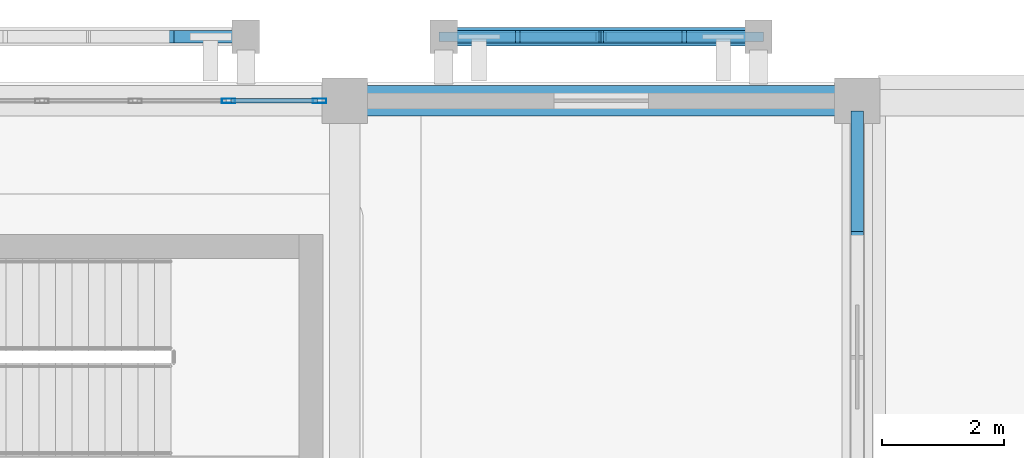
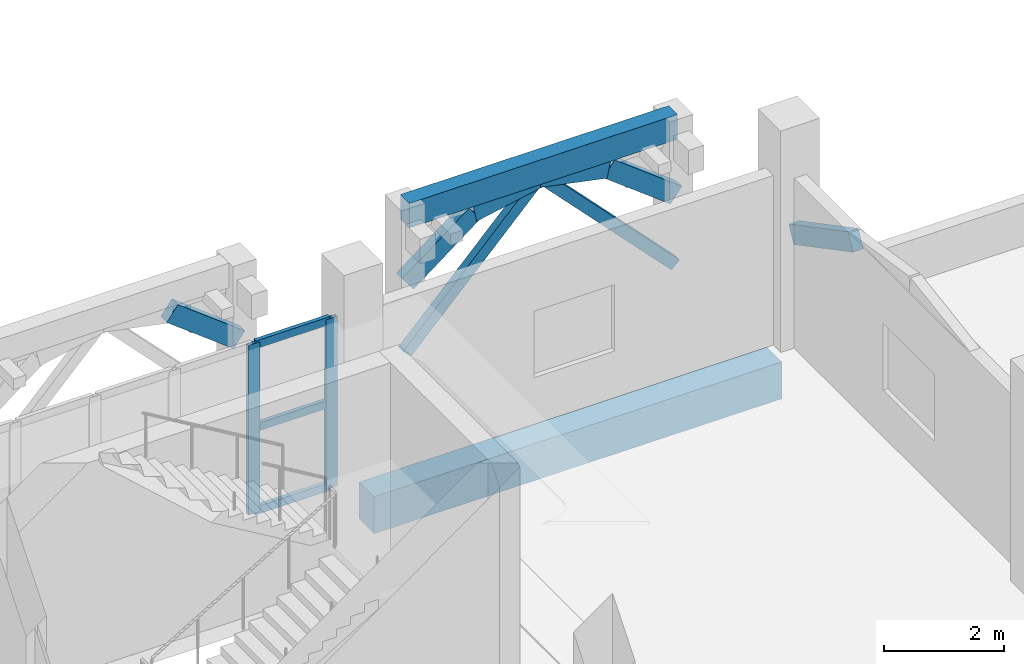
# One storey, part 18 of 34: 13 members, 2 beams, 1 element without a shape of its own.
"""IFC4 building model written with IfcOpenShell, lengths in metres."""

from ifc_helpers import new_model, si_unit, direction, frame, origin, origin_2d, place, context, subcontext, project, spatial, rectangle, hollow_rectangle, extrude, material, layer, layer_set, material_profile, profile_set, type_object, element, aggregate, save


model = new_model("IFC4")

# Units and contexts
model_context = context("Model", 3, precision=1e-05, world=origin(), true_north=direction((0.0, 1.0)))
body_context = subcontext(model_context, "Body", "Model", "MODEL_VIEW")
ifc_project = project(units=[si_unit("LENGTHUNIT", "METRE"), si_unit("AREAUNIT", "SQUARE_METRE"), si_unit("VOLUMEUNIT", "CUBIC_METRE"), si_unit("PLANEANGLEUNIT", "RADIAN"), si_unit("MASSUNIT", "GRAM", prefix="KILO")], contexts=[model_context])

# Site, building, storey
site_placement = place(None, origin())
site = spatial("IfcSite", under=ifc_project, at=site_placement, CompositionType="ELEMENT")
building_placement = place(site_placement, origin())
building = spatial("IfcBuilding", under=site, at=building_placement, Name="Xazarin Passage Department Store", CompositionType="ELEMENT")
storey_placement = place(building_placement, frame((0.0, 0.0, 18.89990234375)))
storey = spatial("IfcBuildingStorey", under=building, at=storey_placement, Name="L04", CompositionType="ELEMENT", Elevation=18.89990234375)

# Curtain wall, members
ifc_material_1 = material(Name="Bronze anodised aluminium", Category="aluminium")
ifc_layer = layer(ifc_material_1, 0.199951171875)
ifc_layer_set = layer_set([ifc_layer], Name="Bronze anodised aluminium")
curtain_wall_type = type_object("IfcCurtainWallType", Name="ARC-CW-VIT2", PredefinedType="NOTDEFINED", material=ifc_layer_set)
curtain_wall_placement = place(storey_placement, origin())
curtain_wall = element("IfcCurtainWall", 1, at=curtain_wall_placement, inside=storey, type_object=curtain_wall_type, Name="L04 V1 Curtain Wall 071", PredefinedType="NOTDEFINED")
ifc_material_profile_1 = material_profile(ifc_material_1, hollow_rectangle(XDim=0.074951171875, YDim=0.219970703125, WallThickness=0.0048828125, at=origin_2d()), Name="ALU 75x220")
ifc_profile_set_1 = profile_set([ifc_material_profile_1], Name="Bronze anodised aluminium")
member_type_1 = type_object("IfcMemberType", Name="ARC-CWM-75x220", PredefinedType="MULLION", material=ifc_profile_set_1)
member_1_placement = place(storey_placement, frame((31.695068359375, 110.0, 0.0), z_axis=(0.0, 0.0, 1.0), x_axis=(0.0, 1.0, 0.0)))
member_1 = element("IfcMember", 2, at=member_1_placement, type_object=member_type_1, Name="CW2 mullion 5", PredefinedType="MULLION", context=body_context, shape_type="SweptSolid", body=[
    extrude(hollow_rectangle(XDim=0.074951171875, YDim=0.219970703125, WallThickness=0.0048828125, at=origin_2d()), origin(), (0.0, 0.0, 1.0), 3.4501953125),
])
member_2_placement = place(storey_placement, frame((33.1875, 110.0, 0.0), z_axis=(0.0, 0.0, 1.0), x_axis=(0.0, 1.0, 0.0)))
member_2 = element("IfcMember", 3, at=member_2_placement, type_object=member_type_1, Name="CW2 mullion 6", PredefinedType="MULLION", context=body_context, shape_type="SweptSolid", body=[
    extrude(hollow_rectangle(XDim=0.074951171875, YDim=0.219970703125, WallThickness=0.0048828125, at=origin_2d()), origin(), (0.0, 0.0, 1.0), 3.4501953125),
])
ifc_material_profile_2 = material_profile(ifc_material_1, hollow_rectangle(XDim=0.074951171875, YDim=0.159912109375, WallThickness=0.00439453125, at=origin_2d()), Name="ALU 75x160")
ifc_profile_set_2 = profile_set([ifc_material_profile_2], Name="Bronze anodised aluminium")
member_type_2 = type_object("IfcMemberType", Name="ARC-CWT-75x160", PredefinedType="USERDEFINED", material=ifc_profile_set_2)
member_3_placement = place(storey_placement, frame((31.732421875, 110.0, 0.03759765625), z_axis=(1.0, 0.0, 0.0), x_axis=(0.0, 1.0, 0.0)))
member_3 = element("IfcMember", 4, at=member_3_placement, type_object=member_type_2, Name="CW2 transom 5.1", ObjectType="TRANSOM", PredefinedType="USERDEFINED", context=body_context, shape_type="SweptSolid", body=[
    extrude(hollow_rectangle(XDim=0.074951171875, YDim=0.159912109375, WallThickness=0.00439453125, at=origin_2d()), origin(), (0.0, 0.0, 1.0), 1.41748046875),
])
member_4_placement = place(storey_placement, frame((31.732421875, 110.0, 1.72509765625), z_axis=(1.0, 0.0, 0.0), x_axis=(0.0, 1.0, 0.0)))
member_4 = element("IfcMember", 5, at=member_4_placement, type_object=member_type_2, Name="CW2 transom 5.2", ObjectType="TRANSOM", PredefinedType="USERDEFINED", context=body_context, shape_type="SweptSolid", body=[
    extrude(hollow_rectangle(XDim=0.074951171875, YDim=0.159912109375, WallThickness=0.00439453125, at=origin_2d()), origin(), (0.0, 0.0, 1.0), 1.41748046875),
])
member_5_placement = place(storey_placement, frame((31.732421875, 110.0, 3.41259765625), z_axis=(1.0, 0.0, 0.0), x_axis=(0.0, 1.0, 0.0)))
member_5 = element("IfcMember", 6, at=member_5_placement, type_object=member_type_2, Name="CW2 transom 5.3", ObjectType="TRANSOM", PredefinedType="USERDEFINED", context=body_context, shape_type="SweptSolid", body=[
    extrude(hollow_rectangle(XDim=0.074951171875, YDim=0.159912109375, WallThickness=0.00439453125, at=origin_2d()), origin(), (0.0, 0.0, 1.0), 1.41748046875),
])
aggregate(curtain_wall, [member_1, member_2, member_3, member_4, member_5])

# Beams
ifc_material_2 = material(Name="Concrete C35/45", Category="concrete")
ifc_material_profile_3 = material_profile(ifc_material_2, rectangle(XDim=0.300048828125, YDim=0.5, at=origin_2d()), Name="RC 300x500")
ifc_profile_set_3 = profile_set([ifc_material_profile_3], Name="Concrete C35/45")
beam_type_1 = type_object("IfcBeamType", Name="STR-BM-LN300x500", PredefinedType="LINTEL", material=ifc_profile_set_3)
beam_1_placement = place(storey_placement, frame((35.219970703125, 111.050048828125, 4.25), z_axis=(1.0, 0.0, 0.0), x_axis=(0.0, 1.0, 0.0)))
element("IfcBeam", 7, at=beam_1_placement, inside=storey, type_object=beam_type_1, Name="L04 V1 Colonnade Spandrel Beam 003", PredefinedType="LINTEL", context=body_context, shape_type="SweptSolid", body=[
    extrude(rectangle(XDim=0.300048828125, YDim=0.5, at=origin_2d()), origin(), (0.0, 0.0, 1.0), 5.159912109375),
])
ifc_material_profile_4 = material_profile(ifc_material_2, rectangle(XDim=0.5, YDim=0.75, at=origin_2d()), Name="RC 500x750")
ifc_profile_set_4 = profile_set([ifc_material_profile_4], Name="Concrete C35/45")
beam_type_2 = type_object("IfcBeamType", Name="STR-BM-SP500x750", PredefinedType="SPANDREL", material=ifc_profile_set_4)
beam_2_placement = place(storey_placement, frame((33.8798828125, 110.0, -0.6748046875), z_axis=(1.0, 0.0, 0.0), x_axis=(0.0, 1.0, 0.0)))
element("IfcBeam", 8, at=beam_2_placement, inside=storey, type_object=beam_type_2, Name="L04 Grid Beam Q/5-6", PredefinedType="SPANDREL", context=body_context, shape_type="SweptSolid", body=[
    extrude(rectangle(XDim=0.5, YDim=0.75, at=origin_2d()), origin(), (0.0, 0.0, 1.0), 7.840087890625),
])

# Members
ifc_material_3 = material(Name="Concrete C40/50", Category="concrete")
ifc_material_profile_5 = material_profile(ifc_material_3, rectangle(XDim=0.199951171875, YDim=0.360107421875, at=origin_2d()), Name="RC 200x360")
ifc_profile_set_5 = profile_set([ifc_material_profile_5], Name="Concrete C40/50")
member_type_3 = type_object("IfcMemberType", Name="STR-MEM-ARC360", PredefinedType="CHORD", material=ifc_profile_set_5)
for number, where, z_axis, x_axis, name in (
    (9, (30.68994140625, 111.050048828125, 3.81640625), (0.79440903847, 0.0, -0.607383140692), (0.0, 1.0, 0.0), "L04 V1 Pierced Lattice Curved Arch 002.4"),
    (10, (35.219970703125, 111.050048828125, 2.830078125), (0.79440903847, 0.0, 0.607383140692), (0.0, 1.0, 0.0), "L04 V1 Pierced Lattice Curved Arch 003.1"),
):
    element("IfcMember", number, at=place(storey_placement, frame(where, z_axis=z_axis, x_axis=x_axis)), inside=storey, type_object=member_type_3, Name=name, PredefinedType="CHORD", context=body_context, shape_type="SweptSolid", body=[
        extrude(rectangle(XDim=0.199951171875, YDim=0.360107421875, at=origin_2d()), origin(), (0.0, 0.0, 1.0), 1.623779296875),
    ])
for number, where, z_axis, x_axis, name in (
    (11, (36.510009765625, 111.050048828125, 3.81640625), (0.979744705887, 0.0, 0.200250621188), (0.0, 1.0, 0.0), "L04 V1 Pierced Lattice Curved Arch 003.2"),
    (12, (37.800048828125, 111.050048828125, 4.080078125), (0.979744705887, 0.0, -0.200250621188), (0.0, 1.0, 0.0), "L04 V1 Pierced Lattice Curved Arch 003.3"),
):
    element("IfcMember", number, at=place(storey_placement, frame(where, z_axis=z_axis, x_axis=x_axis)), inside=storey, type_object=member_type_3, Name=name, PredefinedType="CHORD", context=body_context, shape_type="SweptSolid", body=[
        extrude(rectangle(XDim=0.199951171875, YDim=0.360107421875, at=origin_2d()), origin(), (0.0, 0.0, 1.0), 1.316650390625),
    ])
member_6_placement = place(storey_placement, frame((39.090087890625, 111.050048828125, 3.81640625), z_axis=(0.794353565088, 0.0, -0.607455688616), x_axis=(0.0, 1.0, 0.0)))
element("IfcMember", 13, at=member_6_placement, inside=storey, type_object=member_type_3, Name="L04 V1 Pierced Lattice Curved Arch 003.4", PredefinedType="CHORD", context=body_context, shape_type="SweptSolid", body=[
    extrude(rectangle(XDim=0.199951171875, YDim=0.360107421875, at=origin_2d()), origin(), (0.0, 0.0, 1.0), 1.623779296875),
])
member_7_placement = place(storey_placement, frame((42.0, 107.77490234375, 3.2705078125), z_axis=(0.0, 0.88473311603, -0.466097965454), x_axis=(-1.0, 0.0, 0.0)))
element("IfcMember", 14, at=member_7_placement, inside=storey, type_object=member_type_3, Name="L04 V1 Upper Setback Pierced Arch 027.4", PredefinedType="CHORD", context=body_context, shape_type="SweptSolid", body=[
    extrude(rectangle(XDim=0.199951171875, YDim=0.360107421875, at=origin_2d()), origin(), (0.0, 0.0, 1.0), 2.232421875),
])
ifc_material_profile_6 = material_profile(ifc_material_3, rectangle(XDim=0.159912109375, YDim=0.219970703125, at=origin_2d()), Name="RC 160x220")
ifc_profile_set_6 = profile_set([ifc_material_profile_6], Name="Concrete C40/50")
member_type_4 = type_object("IfcMemberType", Name="STR-MEM-TRC220", PredefinedType="CHORD", material=ifc_profile_set_6)
for number, where, z_axis, x_axis, name in (
    (15, (37.800048828125, 111.050048828125, 4.080078125), (-0.693558444435, 0.0, -0.720400363793), (0.0, -1.0, 0.0), "L04 V1 Upper Lattice Tracery Arch 003L"),
    (16, (37.800048828125, 111.050048828125, 4.080078125), (0.693524382622, 0.0, -0.72043315492), (0.0, 1.0, 0.0), "L04 V1 Upper Lattice Tracery Arch 003R"),
):
    element("IfcMember", number, at=place(storey_placement, frame(where, z_axis=z_axis, x_axis=x_axis)), inside=storey, type_object=member_type_4, Name=name, PredefinedType="CHORD", context=body_context, shape_type="SweptSolid", body=[
        extrude(rectangle(XDim=0.159912109375, YDim=0.219970703125, at=origin_2d()), origin(), (0.0, 0.0, 1.0), 3.719970703125),
    ])

save(model, "model.ifc")
